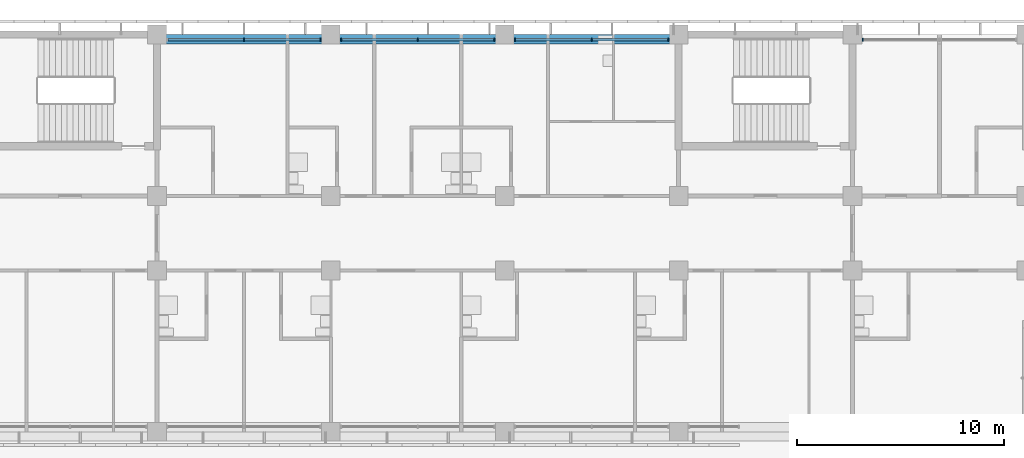
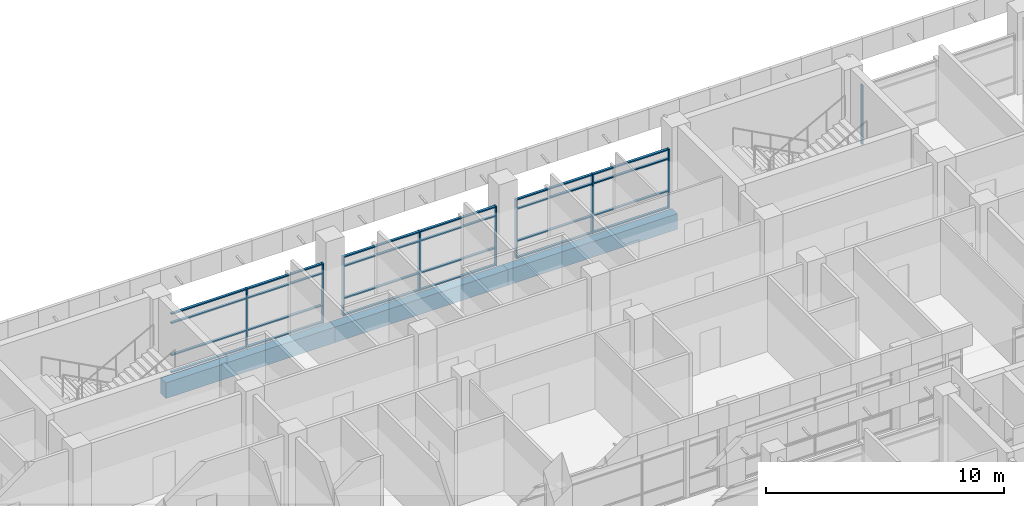
# One storey, part 44 of 137: 33 members, 3 beams, 4 elements without a shape of their own.
"""IFC4 building model written with IfcOpenShell, lengths in metres."""

from ifc_helpers import new_model, si_unit, direction, frame, origin, origin_2d, place, context, subcontext, project, spatial, rectangle, extrude, material, material_profile, profile_set, type_object, element, aggregate, save


model = new_model("IFC4")

# Units and contexts
model_context = context("Model", 3, precision=1e-05, world=origin(), true_north=direction((0.0, 1.0)))
body_context = subcontext(model_context, "Body", "Model", "MODEL_VIEW")
ifc_project = project(units=[si_unit("LENGTHUNIT", "METRE"), si_unit("AREAUNIT", "SQUARE_METRE"), si_unit("VOLUMEUNIT", "CUBIC_METRE"), si_unit("PLANEANGLEUNIT", "RADIAN"), si_unit("MASSUNIT", "GRAM", prefix="KILO")], contexts=[model_context])

# Site, building, storey
site_placement = place(None, origin())
site = spatial("IfcSite", under=ifc_project, at=site_placement, CompositionType="ELEMENT")
building_placement = place(site_placement, origin())
building = spatial("IfcBuilding", under=site, at=building_placement, Name="Bougainvillea Quay General Hospital", CompositionType="ELEMENT")
storey_placement = place(building_placement, frame((0.0, 0.0, 16.800048828125)))
storey = spatial("IfcBuildingStorey", under=building, at=storey_placement, Name="L03", CompositionType="ELEMENT", Elevation=16.800048828125)

# Curtain wall, member
ifc_material_1 = material(Name="Aluminium curtain wall system, powder-coated glazed", Category="aluminium")
curtain_wall_type = type_object("IfcCurtainWallType", Name="Unitised curtain wall CW-3730", PredefinedType="NOTDEFINED", material=ifc_material_1)
curtain_wall_1_placement = place(storey_placement, origin())
curtain_wall_1 = element("IfcCurtainWall", 1, at=curtain_wall_1_placement, inside=storey, type_object=curtain_wall_type, Name="CW-4200 00", PredefinedType="NOTDEFINED")
ifc_material_2 = material(Name="Aluminium mullion, powder-coated charcoal", Category="aluminium")
ifc_material_profile_1 = material_profile(ifc_material_2, rectangle(XDim=0.159912109375, YDim=0.06005859375, at=origin_2d()))
ifc_profile_set_1 = profile_set([ifc_material_profile_1], Name="Aluminium mullion, powder-coated charcoal")
member_type_1 = type_object("IfcMemberType", Name="Curtain wall mullion 160x60", PredefinedType="MULLION", material=ifc_profile_set_1)
member_1_placement = place(storey_placement, frame((143.300048828125, 159.35009765625, 0.0), z_axis=(0.0, 0.0, 1.0), x_axis=(0.0, -1.0, 0.0)))
member_1 = element("IfcMember", 2, at=member_1_placement, type_object=member_type_1, Name="CW-4200 mullion 3", PredefinedType="MULLION", context=body_context, shape_type="SweptSolid", body=[
    extrude(rectangle(XDim=0.159912109375, YDim=0.06005859375, at=origin_2d()), origin(), (0.0, 0.0, 1.0), 3.050048828125),
])
aggregate(curtain_wall_1, [member_1])

# Curtain wall, members
curtain_wall_2_placement = place(storey_placement, origin())
curtain_wall_2 = element("IfcCurtainWall", 3, at=curtain_wall_2_placement, inside=storey, type_object=curtain_wall_type, Name="CW-4200 01", PredefinedType="NOTDEFINED")
member_2_placement = place(storey_placement, frame((133.89990234375, 159.35009765625, 0.0), z_axis=(0.0, 0.0, 1.0), x_axis=(0.0, -1.0, 0.0)))
member_2 = element("IfcMember", 4, at=member_2_placement, type_object=member_type_1, Name="CW-4200 mullion 1", PredefinedType="MULLION", context=body_context, shape_type="SweptSolid", body=[
    extrude(rectangle(XDim=0.159912109375, YDim=0.06005859375, at=origin_2d()), origin(), (0.0, 0.0, 1.0), 3.050048828125),
])
member_3_placement = place(storey_placement, frame((130.199951171875, 159.35009765625, 0.0), z_axis=(0.0, 0.0, 1.0), x_axis=(0.0, -1.0, 0.0)))
member_3 = element("IfcMember", 5, at=member_3_placement, type_object=member_type_1, Name="CW-4200 mullion 2", PredefinedType="MULLION", context=body_context, shape_type="SweptSolid", body=[
    extrude(rectangle(XDim=0.159912109375, YDim=0.06005859375, at=origin_2d()), origin(), (0.0, 0.0, 1.0), 3.050048828125),
])
member_4_placement = place(storey_placement, frame((126.5, 159.35009765625, 0.0), z_axis=(0.0, 0.0, 1.0), x_axis=(0.0, -1.0, 0.0)))
member_4 = element("IfcMember", 6, at=member_4_placement, type_object=member_type_1, Name="CW-4200 mullion 3", PredefinedType="MULLION", context=body_context, shape_type="SweptSolid", body=[
    extrude(rectangle(XDim=0.159912109375, YDim=0.06005859375, at=origin_2d()), origin(), (0.0, 0.0, 1.0), 3.050048828125),
])

curtain_wall_3_placement = place(storey_placement, origin())
curtain_wall_3 = element("IfcCurtainWall", 7, at=curtain_wall_3_placement, inside=storey, type_object=curtain_wall_type, Name="CW-4200 02", PredefinedType="NOTDEFINED")
member_5_placement = place(storey_placement, frame((125.5, 159.35009765625, 0.0), z_axis=(0.0, 0.0, 1.0), x_axis=(0.0, -1.0, 0.0)))
member_5 = element("IfcMember", 8, at=member_5_placement, type_object=member_type_1, Name="CW-4200 mullion 1", PredefinedType="MULLION", context=body_context, shape_type="SweptSolid", body=[
    extrude(rectangle(XDim=0.159912109375, YDim=0.06005859375, at=origin_2d()), origin(), (0.0, 0.0, 1.0), 3.050048828125),
])
member_6_placement = place(storey_placement, frame((121.800048828125, 159.35009765625, 0.0), z_axis=(0.0, 0.0, 1.0), x_axis=(0.0, -1.0, 0.0)))
member_6 = element("IfcMember", 9, at=member_6_placement, type_object=member_type_1, Name="CW-4200 mullion 2", PredefinedType="MULLION", context=body_context, shape_type="SweptSolid", body=[
    extrude(rectangle(XDim=0.159912109375, YDim=0.06005859375, at=origin_2d()), origin(), (0.0, 0.0, 1.0), 3.050048828125),
])
member_7_placement = place(storey_placement, frame((118.10009765625, 159.35009765625, 0.0), z_axis=(0.0, 0.0, 1.0), x_axis=(0.0, -1.0, 0.0)))
member_7 = element("IfcMember", 10, at=member_7_placement, type_object=member_type_1, Name="CW-4200 mullion 3", PredefinedType="MULLION", context=body_context, shape_type="SweptSolid", body=[
    extrude(rectangle(XDim=0.159912109375, YDim=0.06005859375, at=origin_2d()), origin(), (0.0, 0.0, 1.0), 3.050048828125),
])

curtain_wall_4_placement = place(storey_placement, origin())
curtain_wall_4 = element("IfcCurtainWall", 11, at=curtain_wall_4_placement, inside=storey, type_object=curtain_wall_type, Name="CW-4200 03", PredefinedType="NOTDEFINED")
member_8_placement = place(storey_placement, frame((117.10009765625, 159.35009765625, 0.0), z_axis=(0.0, 0.0, 1.0), x_axis=(0.0, -1.0, 0.0)))
member_8 = element("IfcMember", 12, at=member_8_placement, type_object=member_type_1, Name="CW-4200 mullion 1", PredefinedType="MULLION", context=body_context, shape_type="SweptSolid", body=[
    extrude(rectangle(XDim=0.159912109375, YDim=0.06005859375, at=origin_2d()), origin(), (0.0, 0.0, 1.0), 3.050048828125),
])
member_9_placement = place(storey_placement, frame((113.39990234375, 159.35009765625, 0.0), z_axis=(0.0, 0.0, 1.0), x_axis=(0.0, -1.0, 0.0)))
member_9 = element("IfcMember", 13, at=member_9_placement, type_object=member_type_1, Name="CW-4200 mullion 2", PredefinedType="MULLION", context=body_context, shape_type="SweptSolid", body=[
    extrude(rectangle(XDim=0.159912109375, YDim=0.06005859375, at=origin_2d()), origin(), (0.0, 0.0, 1.0), 3.050048828125),
])

# Member
ifc_material_3 = material(Name="Aluminium transom, powder-coated charcoal", Category="aluminium")
ifc_material_profile_2 = material_profile(ifc_material_3, rectangle(XDim=0.1201171875, YDim=0.06005859375, at=origin_2d()))
ifc_profile_set_2 = profile_set([ifc_material_profile_2], Name="Aluminium transom, powder-coated charcoal")
member_type_2 = type_object("IfcMemberType", Name="Curtain wall transom 120x60", PredefinedType="USERDEFINED", material=ifc_profile_set_2)
member_10_placement = place(storey_placement, frame((133.8701171875, 159.35009765625, 0.030029296875), z_axis=(-1.0, 0.0, 0.0), x_axis=(0.0, -1.0, 0.0)))
member_10 = element("IfcMember", 14, at=member_10_placement, type_object=member_type_2, Name="CW-4200 transom 1.1", ObjectType="TRANSOM", PredefinedType="USERDEFINED", context=body_context, shape_type="SweptSolid", body=[
    extrude(rectangle(XDim=0.1201171875, YDim=0.06005859375, at=origin_2d()), origin(), (0.0, 0.0, 1.0), 3.64013671875),
])

member_11_placement = place(storey_placement, frame((133.8701171875, 159.35009765625, 0.89990234375), z_axis=(-1.0, 0.0, 0.0), x_axis=(0.0, -1.0, 0.0)))
member_11 = element("IfcMember", 15, at=member_11_placement, type_object=member_type_2, Name="CW-4200 transom 1.2", ObjectType="TRANSOM", PredefinedType="USERDEFINED", context=body_context, shape_type="SweptSolid", body=[
    extrude(rectangle(XDim=0.1201171875, YDim=0.06005859375, at=origin_2d()), origin(), (0.0, 0.0, 1.0), 3.64013671875),
])

member_12_placement = place(storey_placement, frame((133.8701171875, 159.35009765625, 2.550048828125), z_axis=(-1.0, 0.0, 0.0), x_axis=(0.0, -1.0, 0.0)))
member_12 = element("IfcMember", 16, at=member_12_placement, type_object=member_type_2, Name="CW-4200 transom 1.3", ObjectType="TRANSOM", PredefinedType="USERDEFINED", context=body_context, shape_type="SweptSolid", body=[
    extrude(rectangle(XDim=0.1201171875, YDim=0.06005859375, at=origin_2d()), origin(), (0.0, 0.0, 1.0), 3.64013671875),
])

member_13_placement = place(storey_placement, frame((133.8701171875, 159.35009765625, 3.02001953125), z_axis=(-1.0, 0.0, 0.0), x_axis=(0.0, -1.0, 0.0)))
member_13 = element("IfcMember", 17, at=member_13_placement, type_object=member_type_2, Name="CW-4200 transom 1.4", ObjectType="TRANSOM", PredefinedType="USERDEFINED", context=body_context, shape_type="SweptSolid", body=[
    extrude(rectangle(XDim=0.1201171875, YDim=0.06005859375, at=origin_2d()), origin(), (0.0, 0.0, 1.0), 3.64013671875),
])

member_14_placement = place(storey_placement, frame((130.169921875, 159.35009765625, 0.030029296875), z_axis=(-1.0, 0.0, 0.0), x_axis=(0.0, -1.0, 0.0)))
member_14 = element("IfcMember", 18, at=member_14_placement, type_object=member_type_2, Name="CW-4200 transom 2.1", ObjectType="TRANSOM", PredefinedType="USERDEFINED", context=body_context, shape_type="SweptSolid", body=[
    extrude(rectangle(XDim=0.1201171875, YDim=0.06005859375, at=origin_2d()), origin(), (0.0, 0.0, 1.0), 3.639892578125),
])

member_15_placement = place(storey_placement, frame((130.169921875, 159.35009765625, 0.89990234375), z_axis=(-1.0, 0.0, 0.0), x_axis=(0.0, -1.0, 0.0)))
member_15 = element("IfcMember", 19, at=member_15_placement, type_object=member_type_2, Name="CW-4200 transom 2.2", ObjectType="TRANSOM", PredefinedType="USERDEFINED", context=body_context, shape_type="SweptSolid", body=[
    extrude(rectangle(XDim=0.1201171875, YDim=0.06005859375, at=origin_2d()), origin(), (0.0, 0.0, 1.0), 3.639892578125),
])

member_16_placement = place(storey_placement, frame((130.169921875, 159.35009765625, 2.550048828125), z_axis=(-1.0, 0.0, 0.0), x_axis=(0.0, -1.0, 0.0)))
member_16 = element("IfcMember", 20, at=member_16_placement, type_object=member_type_2, Name="CW-4200 transom 2.3", ObjectType="TRANSOM", PredefinedType="USERDEFINED", context=body_context, shape_type="SweptSolid", body=[
    extrude(rectangle(XDim=0.1201171875, YDim=0.06005859375, at=origin_2d()), origin(), (0.0, 0.0, 1.0), 3.639892578125),
])

member_17_placement = place(storey_placement, frame((130.169921875, 159.35009765625, 3.02001953125), z_axis=(-1.0, 0.0, 0.0), x_axis=(0.0, -1.0, 0.0)))
member_17 = element("IfcMember", 21, at=member_17_placement, type_object=member_type_2, Name="CW-4200 transom 2.4", ObjectType="TRANSOM", PredefinedType="USERDEFINED", context=body_context, shape_type="SweptSolid", body=[
    extrude(rectangle(XDim=0.1201171875, YDim=0.06005859375, at=origin_2d()), origin(), (0.0, 0.0, 1.0), 3.639892578125),
])

aggregate(curtain_wall_2, [member_2, member_3, member_4, member_10, member_11, member_12, member_13, member_14, member_15, member_16, member_17])

member_18_placement = place(storey_placement, frame((125.469970703125, 159.35009765625, 0.030029296875), z_axis=(-1.0, 0.0, 0.0), x_axis=(0.0, -1.0, 0.0)))
member_18 = element("IfcMember", 22, at=member_18_placement, type_object=member_type_2, Name="CW-4200 transom 1.1", ObjectType="TRANSOM", PredefinedType="USERDEFINED", context=body_context, shape_type="SweptSolid", body=[
    extrude(rectangle(XDim=0.1201171875, YDim=0.06005859375, at=origin_2d()), origin(), (0.0, 0.0, 1.0), 3.639892578125),
])

member_19_placement = place(storey_placement, frame((125.469970703125, 159.35009765625, 0.89990234375), z_axis=(-1.0, 0.0, 0.0), x_axis=(0.0, -1.0, 0.0)))
member_19 = element("IfcMember", 23, at=member_19_placement, type_object=member_type_2, Name="CW-4200 transom 1.2", ObjectType="TRANSOM", PredefinedType="USERDEFINED", context=body_context, shape_type="SweptSolid", body=[
    extrude(rectangle(XDim=0.1201171875, YDim=0.06005859375, at=origin_2d()), origin(), (0.0, 0.0, 1.0), 3.639892578125),
])

member_20_placement = place(storey_placement, frame((125.469970703125, 159.35009765625, 2.550048828125), z_axis=(-1.0, 0.0, 0.0), x_axis=(0.0, -1.0, 0.0)))
member_20 = element("IfcMember", 24, at=member_20_placement, type_object=member_type_2, Name="CW-4200 transom 1.3", ObjectType="TRANSOM", PredefinedType="USERDEFINED", context=body_context, shape_type="SweptSolid", body=[
    extrude(rectangle(XDim=0.1201171875, YDim=0.06005859375, at=origin_2d()), origin(), (0.0, 0.0, 1.0), 3.639892578125),
])

member_21_placement = place(storey_placement, frame((125.469970703125, 159.35009765625, 3.02001953125), z_axis=(-1.0, 0.0, 0.0), x_axis=(0.0, -1.0, 0.0)))
member_21 = element("IfcMember", 25, at=member_21_placement, type_object=member_type_2, Name="CW-4200 transom 1.4", ObjectType="TRANSOM", PredefinedType="USERDEFINED", context=body_context, shape_type="SweptSolid", body=[
    extrude(rectangle(XDim=0.1201171875, YDim=0.06005859375, at=origin_2d()), origin(), (0.0, 0.0, 1.0), 3.639892578125),
])

member_22_placement = place(storey_placement, frame((121.77001953125, 159.35009765625, 0.030029296875), z_axis=(-1.0, 0.0, 0.0), x_axis=(0.0, -1.0, 0.0)))
member_22 = element("IfcMember", 26, at=member_22_placement, type_object=member_type_2, Name="CW-4200 transom 2.1", ObjectType="TRANSOM", PredefinedType="USERDEFINED", context=body_context, shape_type="SweptSolid", body=[
    extrude(rectangle(XDim=0.1201171875, YDim=0.06005859375, at=origin_2d()), origin(), (0.0, 0.0, 1.0), 3.64013671875),
])

member_23_placement = place(storey_placement, frame((121.77001953125, 159.35009765625, 0.89990234375), z_axis=(-1.0, 0.0, 0.0), x_axis=(0.0, -1.0, 0.0)))
member_23 = element("IfcMember", 27, at=member_23_placement, type_object=member_type_2, Name="CW-4200 transom 2.2", ObjectType="TRANSOM", PredefinedType="USERDEFINED", context=body_context, shape_type="SweptSolid", body=[
    extrude(rectangle(XDim=0.1201171875, YDim=0.06005859375, at=origin_2d()), origin(), (0.0, 0.0, 1.0), 3.64013671875),
])

member_24_placement = place(storey_placement, frame((121.77001953125, 159.35009765625, 2.550048828125), z_axis=(-1.0, 0.0, 0.0), x_axis=(0.0, -1.0, 0.0)))
member_24 = element("IfcMember", 28, at=member_24_placement, type_object=member_type_2, Name="CW-4200 transom 2.3", ObjectType="TRANSOM", PredefinedType="USERDEFINED", context=body_context, shape_type="SweptSolid", body=[
    extrude(rectangle(XDim=0.1201171875, YDim=0.06005859375, at=origin_2d()), origin(), (0.0, 0.0, 1.0), 3.64013671875),
])

member_25_placement = place(storey_placement, frame((121.77001953125, 159.35009765625, 3.02001953125), z_axis=(-1.0, 0.0, 0.0), x_axis=(0.0, -1.0, 0.0)))
member_25 = element("IfcMember", 29, at=member_25_placement, type_object=member_type_2, Name="CW-4200 transom 2.4", ObjectType="TRANSOM", PredefinedType="USERDEFINED", context=body_context, shape_type="SweptSolid", body=[
    extrude(rectangle(XDim=0.1201171875, YDim=0.06005859375, at=origin_2d()), origin(), (0.0, 0.0, 1.0), 3.64013671875),
])

aggregate(curtain_wall_3, [member_5, member_6, member_7, member_18, member_19, member_20, member_21, member_22, member_23, member_24, member_25])

member_26_placement = place(storey_placement, frame((117.070068359375, 159.35009765625, 0.030029296875), z_axis=(-1.0, 0.0, 0.0), x_axis=(0.0, -1.0, 0.0)))
member_26 = element("IfcMember", 30, at=member_26_placement, type_object=member_type_2, Name="CW-4200 transom 1.1", ObjectType="TRANSOM", PredefinedType="USERDEFINED", context=body_context, shape_type="SweptSolid", body=[
    extrude(rectangle(XDim=0.1201171875, YDim=0.06005859375, at=origin_2d()), origin(), (0.0, 0.0, 1.0), 3.64013671875),
])

member_27_placement = place(storey_placement, frame((117.070068359375, 159.35009765625, 0.89990234375), z_axis=(-1.0, 0.0, 0.0), x_axis=(0.0, -1.0, 0.0)))
member_27 = element("IfcMember", 31, at=member_27_placement, type_object=member_type_2, Name="CW-4200 transom 1.2", ObjectType="TRANSOM", PredefinedType="USERDEFINED", context=body_context, shape_type="SweptSolid", body=[
    extrude(rectangle(XDim=0.1201171875, YDim=0.06005859375, at=origin_2d()), origin(), (0.0, 0.0, 1.0), 3.64013671875),
])

member_28_placement = place(storey_placement, frame((117.070068359375, 159.35009765625, 2.550048828125), z_axis=(-1.0, 0.0, 0.0), x_axis=(0.0, -1.0, 0.0)))
member_28 = element("IfcMember", 32, at=member_28_placement, type_object=member_type_2, Name="CW-4200 transom 1.3", ObjectType="TRANSOM", PredefinedType="USERDEFINED", context=body_context, shape_type="SweptSolid", body=[
    extrude(rectangle(XDim=0.1201171875, YDim=0.06005859375, at=origin_2d()), origin(), (0.0, 0.0, 1.0), 3.64013671875),
])

member_29_placement = place(storey_placement, frame((117.070068359375, 159.35009765625, 3.02001953125), z_axis=(-1.0, 0.0, 0.0), x_axis=(0.0, -1.0, 0.0)))
member_29 = element("IfcMember", 33, at=member_29_placement, type_object=member_type_2, Name="CW-4200 transom 1.4", ObjectType="TRANSOM", PredefinedType="USERDEFINED", context=body_context, shape_type="SweptSolid", body=[
    extrude(rectangle(XDim=0.1201171875, YDim=0.06005859375, at=origin_2d()), origin(), (0.0, 0.0, 1.0), 3.64013671875),
])

member_30_placement = place(storey_placement, frame((113.3701171875, 159.35009765625, 0.030029296875), z_axis=(-1.0, 0.0, 0.0), x_axis=(0.0, -1.0, 0.0)))
member_30 = element("IfcMember", 34, at=member_30_placement, type_object=member_type_2, Name="CW-4200 transom 2.1", ObjectType="TRANSOM", PredefinedType="USERDEFINED", context=body_context, shape_type="SweptSolid", body=[
    extrude(rectangle(XDim=0.1201171875, YDim=0.06005859375, at=origin_2d()), origin(), (0.0, 0.0, 1.0), 3.64013671875),
])

member_31_placement = place(storey_placement, frame((113.3701171875, 159.35009765625, 0.89990234375), z_axis=(-1.0, 0.0, 0.0), x_axis=(0.0, -1.0, 0.0)))
member_31 = element("IfcMember", 35, at=member_31_placement, type_object=member_type_2, Name="CW-4200 transom 2.2", ObjectType="TRANSOM", PredefinedType="USERDEFINED", context=body_context, shape_type="SweptSolid", body=[
    extrude(rectangle(XDim=0.1201171875, YDim=0.06005859375, at=origin_2d()), origin(), (0.0, 0.0, 1.0), 3.64013671875),
])

member_32_placement = place(storey_placement, frame((113.3701171875, 159.35009765625, 2.550048828125), z_axis=(-1.0, 0.0, 0.0), x_axis=(0.0, -1.0, 0.0)))
member_32 = element("IfcMember", 36, at=member_32_placement, type_object=member_type_2, Name="CW-4200 transom 2.3", ObjectType="TRANSOM", PredefinedType="USERDEFINED", context=body_context, shape_type="SweptSolid", body=[
    extrude(rectangle(XDim=0.1201171875, YDim=0.06005859375, at=origin_2d()), origin(), (0.0, 0.0, 1.0), 3.64013671875),
])

member_33_placement = place(storey_placement, frame((113.3701171875, 159.35009765625, 3.02001953125), z_axis=(-1.0, 0.0, 0.0), x_axis=(0.0, -1.0, 0.0)))
member_33 = element("IfcMember", 37, at=member_33_placement, type_object=member_type_2, Name="CW-4200 transom 2.4", ObjectType="TRANSOM", PredefinedType="USERDEFINED", context=body_context, shape_type="SweptSolid", body=[
    extrude(rectangle(XDim=0.1201171875, YDim=0.06005859375, at=origin_2d()), origin(), (0.0, 0.0, 1.0), 3.64013671875),
])

aggregate(curtain_wall_4, [member_8, member_9, member_26, member_27, member_28, member_29, member_30, member_31, member_32, member_33])

# Beams
ifc_material_4 = material(Name="Concrete C40", Category="concrete")
ifc_material_profile_3 = material_profile(ifc_material_4, rectangle(XDim=0.449951171875, YDim=0.800048828125, at=origin_2d()))
ifc_profile_set_3 = profile_set([ifc_material_profile_3], Name="Concrete C40")
beam_type = type_object("IfcBeamType", Name="RC BEAM 450x800 C40", PredefinedType="BEAM", material=ifc_profile_set_3)
beam_1_placement = place(storey_placement, frame((134.22509765625, 159.375, -0.699951171875), z_axis=(-1.0, 0.0, 0.0), x_axis=(0.0, -1.0, 0.0)))
element("IfcBeam", 38, at=beam_1_placement, inside=storey, type_object=beam_type, Name="Edge beam L03", PredefinedType="BEAM", context=body_context, shape_type="SweptSolid", body=[
    extrude(rectangle(XDim=0.449951171875, YDim=0.800048828125, at=origin_2d()), origin(), (0.0, 0.0, 1.0), 8.22509765625),
])
beam_2_placement = place(storey_placement, frame((126.0, 159.375, -0.699951171875), z_axis=(-1.0, 0.0, 0.0), x_axis=(0.0, -1.0, 0.0)))
element("IfcBeam", 39, at=beam_2_placement, inside=storey, type_object=beam_type, Name="Edge beam L03", PredefinedType="BEAM", context=body_context, shape_type="SweptSolid", body=[
    extrude(rectangle(XDim=0.449951171875, YDim=0.800048828125, at=origin_2d()), origin(), (0.0, 0.0, 1.0), 8.39990234375),
])
beam_3_placement = place(storey_placement, frame((117.60009765625, 159.375, -0.699951171875), z_axis=(-1.0, 0.0, 0.0), x_axis=(0.0, -1.0, 0.0)))
element("IfcBeam", 40, at=beam_3_placement, inside=storey, type_object=beam_type, Name="Edge beam L03", PredefinedType="BEAM", context=body_context, shape_type="SweptSolid", body=[
    extrude(rectangle(XDim=0.449951171875, YDim=0.800048828125, at=origin_2d()), origin(), (0.0, 0.0, 1.0), 8.22509765625),
])

save(model, "model.ifc")
